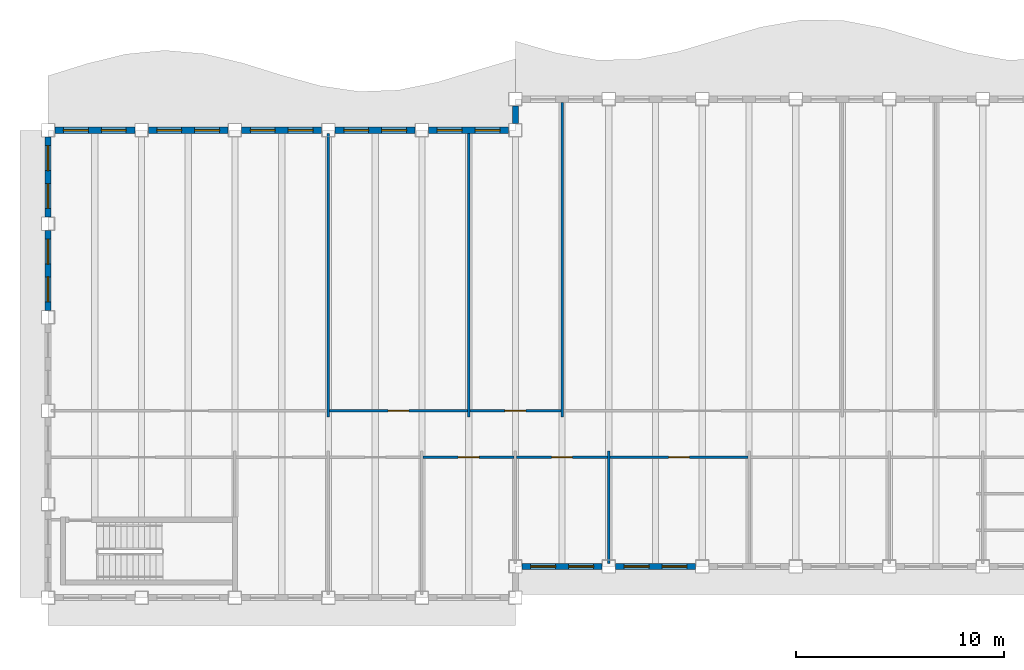
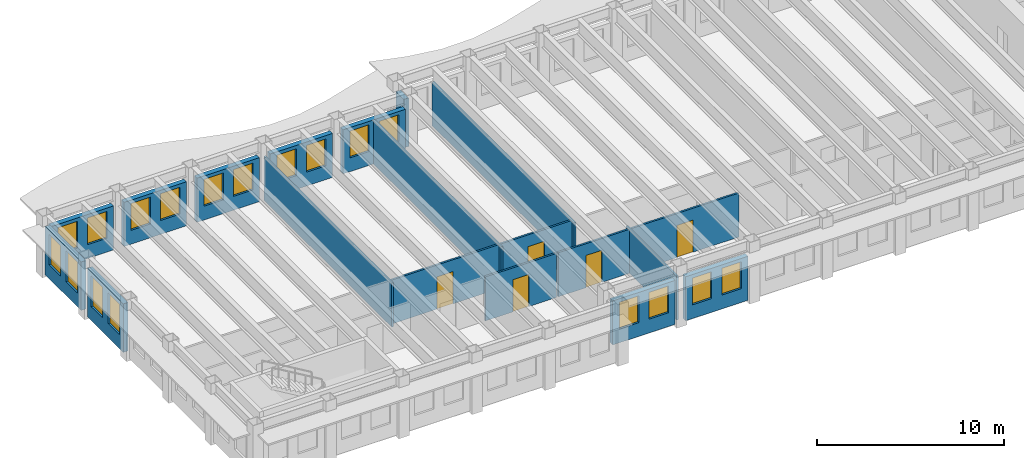
# One storey, part 3 of 12: 19 walls, 18 windows, 5 doors, 23 openings.
"""IFC4 building model written with IfcOpenShell, lengths in metres."""

from ifc_helpers import new_model, si_unit, direction, frame, frame_2d, origin, place, context, subcontext, project, spatial, rectangle, extrude, material, layer, layer_set, type_object, element, fill, save


model = new_model("IFC4")

# Units and contexts
model_context = context("Model", 3, precision=1e-05, world=origin(), true_north=direction((0.0, 1.0)))
body_context = subcontext(model_context, "Body", "Model", "MODEL_VIEW")
ifc_project = project(units=[si_unit("LENGTHUNIT", "METRE"), si_unit("AREAUNIT", "SQUARE_METRE"), si_unit("VOLUMEUNIT", "CUBIC_METRE"), si_unit("PLANEANGLEUNIT", "RADIAN"), si_unit("MASSUNIT", "GRAM", prefix="KILO")], contexts=[model_context])

# Site, building, storey
site_placement = place(None, origin())
site = spatial("IfcSite", under=ifc_project, at=site_placement, CompositionType="ELEMENT")
building_placement = place(site_placement, origin())
building = spatial("IfcBuilding", under=site, at=building_placement, Name="Sennacour Bend Tower", CompositionType="ELEMENT")
storey_placement = place(building_placement, frame((0.0, 0.0, 269.0)))
storey = spatial("IfcBuildingStorey", under=building, at=storey_placement, Name="L62", CompositionType="ELEMENT", Elevation=269.0)

# Walls
ifc_material_1 = material(Name="Plasterboard partition on steel studs", Category="steel")
ifc_layer_1 = layer(ifc_material_1, 0.1201171875, Name="Plasterboard partition on steel studs", Category="steel")
ifc_layer_set_1 = layer_set([ifc_layer_1], Name="Plasterboard partition on steel studs")
wall_type_1 = type_object("IfcWallType", Name="Partition 120", PredefinedType="PARTITIONING", material=ifc_layer_set_1)
for number, where, z_axis, x_axis, name in (
    (1, (13.5, 8.699951171875, 0.0), (0.0, 0.0, 1.0), (0.0, 1.0, 0.0), "P-L62-W007a"),
    (2, (20.25, 8.699951171875, 0.0), (0.0, 0.0, 1.0), (0.0, 1.0, 0.0), "P-L62-W009a"),
):
    element("IfcWall", number, at=place(storey_placement, frame(where, z_axis=z_axis, x_axis=x_axis)), inside=storey, type_object=wall_type_1, Name=name, PredefinedType="PARTITIONING", context=body_context, shape_type="SweptSolid", body=[
        extrude(rectangle(XDim=13.650146484375, YDim=0.1201171875, at=frame_2d((6.8251953125, 0.0))), origin(), (0.0, 0.0, 1.0), 2.8701171875),
    ])
wall_1_placement = place(storey_placement, frame((24.75, 8.699951171875, 0.0), z_axis=(0.0, 0.0, 1.0), x_axis=(0.0, 1.0, 0.0)))
element("IfcWall", 3, at=wall_1_placement, inside=storey, type_object=wall_type_1, Name="P-L62-W011a", PredefinedType="PARTITIONING", context=body_context, shape_type="SweptSolid", body=[
    extrude(rectangle(XDim=15.150146484375, YDim=0.1201171875, at=frame_2d((7.5751953125, 0.0))), origin(), (0.0, 0.0, 1.0), 2.8701171875),
])
wall_2_placement = place(storey_placement, frame((27.0, 1.64990234375, 0.0), z_axis=(0.0, 0.0, 1.0), x_axis=(0.0, 1.0, 0.0)))
element("IfcWall", 4, at=wall_2_placement, inside=storey, type_object=wall_type_1, Name="P-L62-W012a", PredefinedType="PARTITIONING", context=body_context, shape_type="SweptSolid", body=[
    extrude(rectangle(XDim=5.400146484375, YDim=0.1201171875, at=frame_2d((2.7001953125, 0.0))), origin(), (0.0, 0.0, 1.0), 2.8701171875),
])

# Wall, opening, door
wall_3_placement = place(storey_placement, frame((18.06005859375, 6.75, 0.0), z_axis=(0.0, 0.0, 1.0), x_axis=(1.0, 0.0, 0.0)))
wall_3 = element("IfcWall", 5, at=wall_3_placement, inside=storey, type_object=wall_type_1, Name="P-L62-W043ad", PredefinedType="PARTITIONING", context=body_context, shape_type="SweptSolid", body=[
    extrude(rectangle(XDim=4.3798828125, YDim=0.1201171875, at=frame_2d((2.18994140625, 0.0))), origin(), (0.0, 0.0, 1.0), 2.8701171875),
])
opening_1_placement = place(wall_3_placement, frame((1.68994140625, 0.0, 0.0)))
opening_1 = element("IfcOpeningElement", 6, at=opening_1_placement, cuts=wall_3, Name="Opening OD2", PredefinedType="OPENING", context=body_context, shape_type="SweptSolid", body=[
    extrude(rectangle(XDim=1.0, YDim=2.10009765625, at=frame_2d((0.5, 1.050048828125))), frame((0.0, 0.070068359375, 0.0), z_axis=(0.0, -1.0, 0.0), x_axis=(1.0, 0.0, 0.0)), (0.0, 0.0, 1.0), 0.14013671875),
])
ifc_material_2 = material(Name="Timber", Category="wood")
door_type = type_object("IfcDoorType", Name="DR-OFFICE-1000", OperationType="NOTDEFINED", PredefinedType="DOOR", material=ifc_material_2)
door_1_placement = place(opening_1_placement, origin())
door_1 = element("IfcDoor", 7, at=door_1_placement, inside=storey, type_object=door_type, Name="Door", OperationType="SINGLE_SWING_LEFT", OverallHeight=2.10009765625, OverallWidth=1.0, PredefinedType="DOOR", context=body_context, shape_type="SweptSolid", body=[
    extrude(rectangle(XDim=1.0, YDim=2.10009765625, at=frame_2d((0.5, 1.050048828125))), frame((0.0, 0.02490234375, 0.0), z_axis=(0.0, -1.0, 0.0), x_axis=(1.0, 0.0, 0.0)), (0.0, 0.0, 1.0), 0.050048828125),
])
fill(opening_1, door_1)

wall_4_placement = place(storey_placement, frame((22.56005859375, 6.75, 0.0), z_axis=(0.0, 0.0, 1.0), x_axis=(1.0, 0.0, 0.0)))
wall_4 = element("IfcWall", 8, at=wall_4_placement, inside=storey, type_object=wall_type_1, Name="P-L62-W043ae", PredefinedType="PARTITIONING", context=body_context, shape_type="SweptSolid", body=[
    extrude(rectangle(XDim=4.3798828125, YDim=0.1201171875, at=frame_2d((2.18994140625, 0.0))), origin(), (0.0, 0.0, 1.0), 2.8701171875),
])
opening_2_placement = place(wall_4_placement, frame((1.68994140625, 0.0, 0.0)))
opening_2 = element("IfcOpeningElement", 9, at=opening_2_placement, cuts=wall_4, Name="Opening OD2", PredefinedType="OPENING", context=body_context, shape_type="SweptSolid", body=[
    extrude(rectangle(XDim=1.0, YDim=2.10009765625, at=frame_2d((0.5, 1.050048828125))), frame((0.0, 0.070068359375, 0.0), z_axis=(0.0, -1.0, 0.0), x_axis=(1.0, 0.0, 0.0)), (0.0, 0.0, 1.0), 0.14013671875),
])
door_2_placement = place(opening_2_placement, origin())
door_2 = element("IfcDoor", 10, at=door_2_placement, inside=storey, type_object=door_type, Name="Door", OperationType="SINGLE_SWING_LEFT", OverallHeight=2.10009765625, OverallWidth=1.0, PredefinedType="DOOR", context=body_context, shape_type="SweptSolid", body=[
    extrude(rectangle(XDim=1.0, YDim=2.10009765625, at=frame_2d((0.5, 1.050048828125))), frame((0.0, 0.02490234375, 0.0), z_axis=(0.0, -1.0, 0.0), x_axis=(1.0, 0.0, 0.0)), (0.0, 0.0, 1.0), 0.050048828125),
])
fill(opening_2, door_2)

wall_5_placement = place(storey_placement, frame((27.06005859375, 6.75, 0.0), z_axis=(0.0, 0.0, 1.0), x_axis=(1.0, 0.0, 0.0)))
wall_5 = element("IfcWall", 11, at=wall_5_placement, inside=storey, type_object=wall_type_1, Name="P-L62-W043af", PredefinedType="PARTITIONING", context=body_context, shape_type="SweptSolid", body=[
    extrude(rectangle(XDim=6.6298828125, YDim=0.1201171875, at=frame_2d((3.31494140625, 0.0))), origin(), (0.0, 0.0, 1.0), 2.8701171875),
])
opening_3_placement = place(wall_5_placement, frame((2.81494140625, 0.0, 0.0)))
opening_3 = element("IfcOpeningElement", 12, at=opening_3_placement, cuts=wall_5, Name="Opening OD2", PredefinedType="OPENING", context=body_context, shape_type="SweptSolid", body=[
    extrude(rectangle(XDim=1.0, YDim=2.10009765625, at=frame_2d((0.5, 1.050048828125))), frame((0.0, 0.070068359375, 0.0), z_axis=(0.0, -1.0, 0.0), x_axis=(1.0, 0.0, 0.0)), (0.0, 0.0, 1.0), 0.14013671875),
])
door_3_placement = place(opening_3_placement, origin())
door_3 = element("IfcDoor", 13, at=door_3_placement, inside=storey, type_object=door_type, Name="Door", OperationType="SINGLE_SWING_LEFT", OverallHeight=2.10009765625, OverallWidth=1.0, PredefinedType="DOOR", context=body_context, shape_type="SweptSolid", body=[
    extrude(rectangle(XDim=1.0, YDim=2.10009765625, at=frame_2d((0.5, 1.050048828125))), frame((0.0, 0.02490234375, 0.0), z_axis=(0.0, -1.0, 0.0), x_axis=(1.0, 0.0, 0.0)), (0.0, 0.0, 1.0), 0.050048828125),
])
fill(opening_3, door_3)

wall_6_placement = place(storey_placement, frame((13.56005859375, 9.0, 0.0), z_axis=(0.0, 0.0, 1.0), x_axis=(1.0, 0.0, 0.0)))
wall_6 = element("IfcWall", 14, at=wall_6_placement, inside=storey, type_object=wall_type_1, Name="P-L62-W044ab", PredefinedType="PARTITIONING", context=body_context, shape_type="SweptSolid", body=[
    extrude(rectangle(XDim=6.6298828125, YDim=0.1201171875, at=frame_2d((3.31494140625, 0.0))), origin(), (0.0, 0.0, 1.0), 2.8701171875),
])
opening_4_placement = place(wall_6_placement, frame((2.81494140625, 0.0, 0.0)))
opening_4 = element("IfcOpeningElement", 15, at=opening_4_placement, cuts=wall_6, Name="Opening OD2", PredefinedType="OPENING", context=body_context, shape_type="SweptSolid", body=[
    extrude(rectangle(XDim=1.0, YDim=2.10009765625, at=frame_2d((0.5, 1.050048828125))), frame((0.0, 0.070068359375, 0.0), z_axis=(0.0, -1.0, 0.0), x_axis=(1.0, 0.0, 0.0)), (0.0, 0.0, 1.0), 0.14013671875),
])
door_4_placement = place(opening_4_placement, origin())
door_4 = element("IfcDoor", 16, at=door_4_placement, inside=storey, type_object=door_type, Name="Door", OperationType="SINGLE_SWING_LEFT", OverallHeight=2.10009765625, OverallWidth=1.0, PredefinedType="DOOR", context=body_context, shape_type="SweptSolid", body=[
    extrude(rectangle(XDim=1.0, YDim=2.10009765625, at=frame_2d((0.5, 1.050048828125))), frame((0.0, 0.02490234375, 0.0), z_axis=(0.0, -1.0, 0.0), x_axis=(1.0, 0.0, 0.0)), (0.0, 0.0, 1.0), 0.050048828125),
])
fill(opening_4, door_4)

wall_7_placement = place(storey_placement, frame((20.31005859375, 9.0, 0.0), z_axis=(0.0, 0.0, 1.0), x_axis=(1.0, 0.0, 0.0)))
wall_7 = element("IfcWall", 17, at=wall_7_placement, inside=storey, type_object=wall_type_1, Name="P-L62-W044ac", PredefinedType="PARTITIONING", context=body_context, shape_type="SweptSolid", body=[
    extrude(rectangle(XDim=4.3798828125, YDim=0.1201171875, at=frame_2d((2.18994140625, 0.0))), origin(), (0.0, 0.0, 1.0), 2.8701171875),
])
opening_5_placement = place(wall_7_placement, frame((1.68994140625, 0.0, 0.0)))
opening_5 = element("IfcOpeningElement", 18, at=opening_5_placement, cuts=wall_7, Name="Opening OD2", PredefinedType="OPENING", context=body_context, shape_type="SweptSolid", body=[
    extrude(rectangle(XDim=1.0, YDim=2.10009765625, at=frame_2d((0.5, 1.050048828125))), frame((0.0, 0.070068359375, 0.0), z_axis=(0.0, -1.0, 0.0), x_axis=(1.0, 0.0, 0.0)), (0.0, 0.0, 1.0), 0.14013671875),
])
door_5_placement = place(opening_5_placement, origin())
door_5 = element("IfcDoor", 19, at=door_5_placement, inside=storey, type_object=door_type, Name="Door", OperationType="SINGLE_SWING_LEFT", OverallHeight=2.10009765625, OverallWidth=1.0, PredefinedType="DOOR", context=body_context, shape_type="SweptSolid", body=[
    extrude(rectangle(XDim=1.0, YDim=2.10009765625, at=frame_2d((0.5, 1.050048828125))), frame((0.0, 0.02490234375, 0.0), z_axis=(0.0, -1.0, 0.0), x_axis=(1.0, 0.0, 0.0)), (0.0, 0.0, 1.0), 0.050048828125),
])
fill(opening_5, door_5)

# Wall, openings, windows
ifc_material_3 = material(Name="Warm limestone cladding", Category="masonry")
ifc_layer_2 = layer(ifc_material_3, 0.050048828125, Name="Warm limestone cladding", Category="masonry")
ifc_material_4 = material(Name="Precast concrete C40/50", Category="concrete")
ifc_layer_3 = layer(ifc_material_4, 0.25, Name="Precast concrete C40/50", Category="concrete")
ifc_layer_set_2 = layer_set([ifc_layer_2, ifc_layer_3], Name="Precast concrete C40/50 with limestone cladding")
wall_type_2 = type_object("IfcWallType", Name="STONE-CLAD PRECAST SPANDREL 300", PredefinedType="STANDARD", material=ifc_layer_set_2)
wall_8_placement = place(storey_placement, frame((22.824951171875, 1.5, 0.0), z_axis=(0.0, 0.0, 1.0), x_axis=(1.0, 0.0, 0.0)))
wall_8 = element("IfcWall", 20, at=wall_8_placement, inside=storey, type_object=wall_type_2, Name="Stone spandrel and pier wall L62 01.00", PredefinedType="STANDARD", context=body_context, shape_type="SweptSolid", body=[
    extrude(rectangle(XDim=3.85009765625, YDim=0.300048828125, at=frame_2d((1.925048828125, 0.0))), origin(), (0.0, 0.0, 1.0), 2.8701171875),
])
opening_6_placement = place(wall_8_placement, frame((0.41259765625, 0.0, 0.89990234375)))
opening_6 = element("IfcOpeningElement", 21, at=opening_6_placement, cuts=wall_8, Name="Opening W16", PredefinedType="OPENING", context=body_context, shape_type="SweptSolid", body=[
    extrude(rectangle(XDim=1.199951171875, YDim=1.75, at=frame_2d((0.60009765625, 0.875))), frame((0.0, 0.16015625, 0.0), z_axis=(0.0, -1.0, 0.0), x_axis=(1.0, 0.0, 0.0)), (0.0, 0.0, 1.0), 0.320068359375),
])
opening_7_placement = place(wall_8_placement, frame((2.237548828125, 0.0, 0.89990234375)))
opening_7 = element("IfcOpeningElement", 22, at=opening_7_placement, cuts=wall_8, Name="Opening W16", PredefinedType="OPENING", context=body_context, shape_type="SweptSolid", body=[
    extrude(rectangle(XDim=1.199951171875, YDim=1.75, at=frame_2d((0.60009765625, 0.875))), frame((0.0, 0.16015625, 0.0), z_axis=(0.0, -1.0, 0.0), x_axis=(1.0, 0.0, 0.0)), (0.0, 0.0, 1.0), 0.320068359375),
])
ifc_material_5 = material(Name="Clear low-emissivity glass", Category="glass")
window_type_1 = type_object("IfcWindowType", Name="WIN-RIBBON-1200x1750", PartitioningType="SINGLE_PANEL", PredefinedType="WINDOW", material=ifc_material_5)
window_1_placement = place(opening_6_placement, origin())
window_1 = element("IfcWindow", 23, at=window_1_placement, inside=storey, type_object=window_type_1, Name="Ribbon window L62 01.00.0", OverallHeight=1.75, OverallWidth=1.199951171875, PartitioningType="SINGLE_PANEL", PredefinedType="WINDOW", context=body_context, shape_type="SweptSolid", body=[
    extrude(rectangle(XDim=1.199951171875, YDim=1.75, at=frame_2d((0.60009765625, 0.875))), frame((0.0, 0.030029296875, 0.0), z_axis=(0.0, -1.0, 0.0), x_axis=(1.0, 0.0, 0.0)), (0.0, 0.0, 1.0), 0.06005859375),
])
fill(opening_6, window_1)
window_2_placement = place(opening_7_placement, origin())
window_2 = element("IfcWindow", 24, at=window_2_placement, inside=storey, type_object=window_type_1, Name="Ribbon window L62 01.00.1", OverallHeight=1.75, OverallWidth=1.199951171875, PartitioningType="SINGLE_PANEL", PredefinedType="WINDOW", context=body_context, shape_type="SweptSolid", body=[
    extrude(rectangle(XDim=1.199951171875, YDim=1.75, at=frame_2d((0.60009765625, 0.875))), frame((0.0, 0.030029296875, 0.0), z_axis=(0.0, -1.0, 0.0), x_axis=(1.0, 0.0, 0.0)), (0.0, 0.0, 1.0), 0.06005859375),
])
fill(opening_7, window_2)

wall_9_placement = place(storey_placement, frame((27.324951171875, 1.5, 0.0), z_axis=(0.0, 0.0, 1.0), x_axis=(1.0, 0.0, 0.0)))
wall_9 = element("IfcWall", 25, at=wall_9_placement, inside=storey, type_object=wall_type_2, Name="Stone spandrel and pier wall L62 01.01", PredefinedType="STANDARD", context=body_context, shape_type="SweptSolid", body=[
    extrude(rectangle(XDim=3.85009765625, YDim=0.300048828125, at=frame_2d((1.925048828125, 0.0))), origin(), (0.0, 0.0, 1.0), 2.8701171875),
])
opening_8_placement = place(wall_9_placement, frame((0.41259765625, 0.0, 0.89990234375)))
opening_8 = element("IfcOpeningElement", 26, at=opening_8_placement, cuts=wall_9, Name="Opening W16", PredefinedType="OPENING", context=body_context, shape_type="SweptSolid", body=[
    extrude(rectangle(XDim=1.199951171875, YDim=1.75, at=frame_2d((0.60009765625, 0.875))), frame((0.0, 0.16015625, 0.0), z_axis=(0.0, -1.0, 0.0), x_axis=(1.0, 0.0, 0.0)), (0.0, 0.0, 1.0), 0.320068359375),
])
opening_9_placement = place(wall_9_placement, frame((2.237548828125, 0.0, 0.89990234375)))
opening_9 = element("IfcOpeningElement", 27, at=opening_9_placement, cuts=wall_9, Name="Opening W16", PredefinedType="OPENING", context=body_context, shape_type="SweptSolid", body=[
    extrude(rectangle(XDim=1.199951171875, YDim=1.75, at=frame_2d((0.60009765625, 0.875))), frame((0.0, 0.16015625, 0.0), z_axis=(0.0, -1.0, 0.0), x_axis=(1.0, 0.0, 0.0)), (0.0, 0.0, 1.0), 0.320068359375),
])
window_3_placement = place(opening_8_placement, origin())
window_3 = element("IfcWindow", 28, at=window_3_placement, inside=storey, type_object=window_type_1, Name="Ribbon window L62 01.01.0", OverallHeight=1.75, OverallWidth=1.199951171875, PartitioningType="SINGLE_PANEL", PredefinedType="WINDOW", context=body_context, shape_type="SweptSolid", body=[
    extrude(rectangle(XDim=1.199951171875, YDim=1.75, at=frame_2d((0.60009765625, 0.875))), frame((0.0, 0.030029296875, 0.0), z_axis=(0.0, -1.0, 0.0), x_axis=(1.0, 0.0, 0.0)), (0.0, 0.0, 1.0), 0.06005859375),
])
fill(opening_8, window_3)
window_4_placement = place(opening_9_placement, origin())
window_4 = element("IfcWindow", 29, at=window_4_placement, inside=storey, type_object=window_type_1, Name="Ribbon window L62 01.01.1", OverallHeight=1.75, OverallWidth=1.199951171875, PartitioningType="SINGLE_PANEL", PredefinedType="WINDOW", context=body_context, shape_type="SweptSolid", body=[
    extrude(rectangle(XDim=1.199951171875, YDim=1.75, at=frame_2d((0.60009765625, 0.875))), frame((0.0, 0.030029296875, 0.0), z_axis=(0.0, -1.0, 0.0), x_axis=(1.0, 0.0, 0.0)), (0.0, 0.0, 1.0), 0.06005859375),
])
fill(opening_9, window_4)

# Wall
wall_10_placement = place(storey_placement, frame((22.5, 23.675048828125, 0.0), z_axis=(0.0, 0.0, 1.0), x_axis=(0.0, -1.0, 0.0)))
element("IfcWall", 30, at=wall_10_placement, inside=storey, type_object=wall_type_2, Name="Stone spandrel and pier wall L62 08.00", PredefinedType="STANDARD", context=body_context, shape_type="SweptSolid", body=[
    extrude(rectangle(XDim=0.85009765625, YDim=0.300048828125, at=frame_2d((0.425048828125, 0.0))), origin(), (0.0, 0.0, 1.0), 3.162109375),
])

# Wall, openings, windows
wall_11_placement = place(storey_placement, frame((22.175048828125, 22.5, 0.0), z_axis=(0.0, 0.0, 1.0), x_axis=(-1.0, 0.0, 0.0)))
wall_11 = element("IfcWall", 31, at=wall_11_placement, inside=storey, type_object=wall_type_2, Name="Stone spandrel and pier wall L62 09.00", PredefinedType="STANDARD", context=body_context, shape_type="SweptSolid", body=[
    extrude(rectangle(XDim=3.85009765625, YDim=0.300048828125, at=frame_2d((1.925048828125, 0.0))), origin(), (0.0, 0.0, 1.0), 2.8701171875),
])
opening_10_placement = place(wall_11_placement, frame((0.41259765625, 0.0, 0.89990234375)))
opening_10 = element("IfcOpeningElement", 32, at=opening_10_placement, cuts=wall_11, Name="Opening W16", PredefinedType="OPENING", context=body_context, shape_type="SweptSolid", body=[
    extrude(rectangle(XDim=1.199951171875, YDim=1.75, at=frame_2d((0.60009765625, 0.875))), frame((0.0, 0.16015625, 0.0), z_axis=(0.0, -1.0, 0.0), x_axis=(1.0, 0.0, 0.0)), (0.0, 0.0, 1.0), 0.320068359375),
])
opening_11_placement = place(wall_11_placement, frame((2.237548828125, 0.0, 0.89990234375)))
opening_11 = element("IfcOpeningElement", 33, at=opening_11_placement, cuts=wall_11, Name="Opening W16", PredefinedType="OPENING", context=body_context, shape_type="SweptSolid", body=[
    extrude(rectangle(XDim=1.199951171875, YDim=1.75, at=frame_2d((0.60009765625, 0.875))), frame((0.0, 0.16015625, 0.0), z_axis=(0.0, -1.0, 0.0), x_axis=(1.0, 0.0, 0.0)), (0.0, 0.0, 1.0), 0.320068359375),
])
window_5_placement = place(opening_10_placement, origin())
window_5 = element("IfcWindow", 34, at=window_5_placement, inside=storey, type_object=window_type_1, Name="Ribbon window L62 09.00.0", OverallHeight=1.75, OverallWidth=1.199951171875, PartitioningType="SINGLE_PANEL", PredefinedType="WINDOW", context=body_context, shape_type="SweptSolid", body=[
    extrude(rectangle(XDim=1.199951171875, YDim=1.75, at=frame_2d((0.60009765625, 0.875))), frame((0.0, 0.030029296875, 0.0), z_axis=(0.0, -1.0, 0.0), x_axis=(1.0, 0.0, 0.0)), (0.0, 0.0, 1.0), 0.06005859375),
])
fill(opening_10, window_5)
window_6_placement = place(opening_11_placement, origin())
window_6 = element("IfcWindow", 35, at=window_6_placement, inside=storey, type_object=window_type_1, Name="Ribbon window L62 09.00.1", OverallHeight=1.75, OverallWidth=1.199951171875, PartitioningType="SINGLE_PANEL", PredefinedType="WINDOW", context=body_context, shape_type="SweptSolid", body=[
    extrude(rectangle(XDim=1.199951171875, YDim=1.75, at=frame_2d((0.60009765625, 0.875))), frame((0.0, 0.030029296875, 0.0), z_axis=(0.0, -1.0, 0.0), x_axis=(1.0, 0.0, 0.0)), (0.0, 0.0, 1.0), 0.06005859375),
])
fill(opening_11, window_6)

wall_12_placement = place(storey_placement, frame((17.675048828125, 22.5, 0.0), z_axis=(0.0, 0.0, 1.0), x_axis=(-1.0, 0.0, 0.0)))
wall_12 = element("IfcWall", 36, at=wall_12_placement, inside=storey, type_object=wall_type_2, Name="Stone spandrel and pier wall L62 09.01", PredefinedType="STANDARD", context=body_context, shape_type="SweptSolid", body=[
    extrude(rectangle(XDim=3.85009765625, YDim=0.300048828125, at=frame_2d((1.925048828125, 0.0))), origin(), (0.0, 0.0, 1.0), 2.8701171875),
])
opening_12_placement = place(wall_12_placement, frame((0.41259765625, 0.0, 0.89990234375)))
opening_12 = element("IfcOpeningElement", 37, at=opening_12_placement, cuts=wall_12, Name="Opening W16", PredefinedType="OPENING", context=body_context, shape_type="SweptSolid", body=[
    extrude(rectangle(XDim=1.199951171875, YDim=1.75, at=frame_2d((0.60009765625, 0.875))), frame((0.0, 0.16015625, 0.0), z_axis=(0.0, -1.0, 0.0), x_axis=(1.0, 0.0, 0.0)), (0.0, 0.0, 1.0), 0.320068359375),
])
opening_13_placement = place(wall_12_placement, frame((2.237548828125, 0.0, 0.89990234375)))
opening_13 = element("IfcOpeningElement", 38, at=opening_13_placement, cuts=wall_12, Name="Opening W16", PredefinedType="OPENING", context=body_context, shape_type="SweptSolid", body=[
    extrude(rectangle(XDim=1.199951171875, YDim=1.75, at=frame_2d((0.60009765625, 0.875))), frame((0.0, 0.16015625, 0.0), z_axis=(0.0, -1.0, 0.0), x_axis=(1.0, 0.0, 0.0)), (0.0, 0.0, 1.0), 0.320068359375),
])
window_7_placement = place(opening_12_placement, origin())
window_7 = element("IfcWindow", 39, at=window_7_placement, inside=storey, type_object=window_type_1, Name="Ribbon window L62 09.01.0", OverallHeight=1.75, OverallWidth=1.199951171875, PartitioningType="SINGLE_PANEL", PredefinedType="WINDOW", context=body_context, shape_type="SweptSolid", body=[
    extrude(rectangle(XDim=1.199951171875, YDim=1.75, at=frame_2d((0.60009765625, 0.875))), frame((0.0, 0.030029296875, 0.0), z_axis=(0.0, -1.0, 0.0), x_axis=(1.0, 0.0, 0.0)), (0.0, 0.0, 1.0), 0.06005859375),
])
fill(opening_12, window_7)
window_8_placement = place(opening_13_placement, origin())
window_8 = element("IfcWindow", 40, at=window_8_placement, inside=storey, type_object=window_type_1, Name="Ribbon window L62 09.01.1", OverallHeight=1.75, OverallWidth=1.199951171875, PartitioningType="SINGLE_PANEL", PredefinedType="WINDOW", context=body_context, shape_type="SweptSolid", body=[
    extrude(rectangle(XDim=1.199951171875, YDim=1.75, at=frame_2d((0.60009765625, 0.875))), frame((0.0, 0.030029296875, 0.0), z_axis=(0.0, -1.0, 0.0), x_axis=(1.0, 0.0, 0.0)), (0.0, 0.0, 1.0), 0.06005859375),
])
fill(opening_13, window_8)

wall_13_placement = place(storey_placement, frame((13.175048828125, 22.5, 0.0), z_axis=(0.0, 0.0, 1.0), x_axis=(-1.0, 0.0, 0.0)))
wall_13 = element("IfcWall", 41, at=wall_13_placement, inside=storey, type_object=wall_type_2, Name="Stone spandrel and pier wall L62 09.02", PredefinedType="STANDARD", context=body_context, shape_type="SweptSolid", body=[
    extrude(rectangle(XDim=3.85009765625, YDim=0.300048828125, at=frame_2d((1.925048828125, 0.0))), origin(), (0.0, 0.0, 1.0), 2.8701171875),
])
opening_14_placement = place(wall_13_placement, frame((0.41259765625, 0.0, 0.89990234375)))
opening_14 = element("IfcOpeningElement", 42, at=opening_14_placement, cuts=wall_13, Name="Opening W16", PredefinedType="OPENING", context=body_context, shape_type="SweptSolid", body=[
    extrude(rectangle(XDim=1.199951171875, YDim=1.75, at=frame_2d((0.60009765625, 0.875))), frame((0.0, 0.16015625, 0.0), z_axis=(0.0, -1.0, 0.0), x_axis=(1.0, 0.0, 0.0)), (0.0, 0.0, 1.0), 0.320068359375),
])
opening_15_placement = place(wall_13_placement, frame((2.237548828125, 0.0, 0.89990234375)))
opening_15 = element("IfcOpeningElement", 43, at=opening_15_placement, cuts=wall_13, Name="Opening W16", PredefinedType="OPENING", context=body_context, shape_type="SweptSolid", body=[
    extrude(rectangle(XDim=1.199951171875, YDim=1.75, at=frame_2d((0.60009765625, 0.875))), frame((0.0, 0.16015625, 0.0), z_axis=(0.0, -1.0, 0.0), x_axis=(1.0, 0.0, 0.0)), (0.0, 0.0, 1.0), 0.320068359375),
])
window_9_placement = place(opening_14_placement, origin())
window_9 = element("IfcWindow", 44, at=window_9_placement, inside=storey, type_object=window_type_1, Name="Ribbon window L62 09.02.0", OverallHeight=1.75, OverallWidth=1.199951171875, PartitioningType="SINGLE_PANEL", PredefinedType="WINDOW", context=body_context, shape_type="SweptSolid", body=[
    extrude(rectangle(XDim=1.199951171875, YDim=1.75, at=frame_2d((0.60009765625, 0.875))), frame((0.0, 0.030029296875, 0.0), z_axis=(0.0, -1.0, 0.0), x_axis=(1.0, 0.0, 0.0)), (0.0, 0.0, 1.0), 0.06005859375),
])
fill(opening_14, window_9)
window_10_placement = place(opening_15_placement, origin())
window_10 = element("IfcWindow", 45, at=window_10_placement, inside=storey, type_object=window_type_1, Name="Ribbon window L62 09.02.1", OverallHeight=1.75, OverallWidth=1.199951171875, PartitioningType="SINGLE_PANEL", PredefinedType="WINDOW", context=body_context, shape_type="SweptSolid", body=[
    extrude(rectangle(XDim=1.199951171875, YDim=1.75, at=frame_2d((0.60009765625, 0.875))), frame((0.0, 0.030029296875, 0.0), z_axis=(0.0, -1.0, 0.0), x_axis=(1.0, 0.0, 0.0)), (0.0, 0.0, 1.0), 0.06005859375),
])
fill(opening_15, window_10)

wall_14_placement = place(storey_placement, frame((8.675048828125, 22.5, 0.0), z_axis=(0.0, 0.0, 1.0), x_axis=(-1.0, 0.0, 0.0)))
wall_14 = element("IfcWall", 46, at=wall_14_placement, inside=storey, type_object=wall_type_2, Name="Stone spandrel and pier wall L62 09.03", PredefinedType="STANDARD", context=body_context, shape_type="SweptSolid", body=[
    extrude(rectangle(XDim=3.85009765625, YDim=0.300048828125, at=frame_2d((1.925048828125, 0.0))), origin(), (0.0, 0.0, 1.0), 2.8701171875),
])
opening_16_placement = place(wall_14_placement, frame((0.41259765625, 0.0, 0.89990234375)))
opening_16 = element("IfcOpeningElement", 47, at=opening_16_placement, cuts=wall_14, Name="Opening W16", PredefinedType="OPENING", context=body_context, shape_type="SweptSolid", body=[
    extrude(rectangle(XDim=1.199951171875, YDim=1.75, at=frame_2d((0.60009765625, 0.875))), frame((0.0, 0.16015625, 0.0), z_axis=(0.0, -1.0, 0.0), x_axis=(1.0, 0.0, 0.0)), (0.0, 0.0, 1.0), 0.320068359375),
])
opening_17_placement = place(wall_14_placement, frame((2.237548828125, 0.0, 0.89990234375)))
opening_17 = element("IfcOpeningElement", 48, at=opening_17_placement, cuts=wall_14, Name="Opening W16", PredefinedType="OPENING", context=body_context, shape_type="SweptSolid", body=[
    extrude(rectangle(XDim=1.199951171875, YDim=1.75, at=frame_2d((0.60009765625, 0.875))), frame((0.0, 0.16015625, 0.0), z_axis=(0.0, -1.0, 0.0), x_axis=(1.0, 0.0, 0.0)), (0.0, 0.0, 1.0), 0.320068359375),
])
window_11_placement = place(opening_16_placement, origin())
window_11 = element("IfcWindow", 49, at=window_11_placement, inside=storey, type_object=window_type_1, Name="Ribbon window L62 09.03.0", OverallHeight=1.75, OverallWidth=1.199951171875, PartitioningType="SINGLE_PANEL", PredefinedType="WINDOW", context=body_context, shape_type="SweptSolid", body=[
    extrude(rectangle(XDim=1.199951171875, YDim=1.75, at=frame_2d((0.60009765625, 0.875))), frame((0.0, 0.030029296875, 0.0), z_axis=(0.0, -1.0, 0.0), x_axis=(1.0, 0.0, 0.0)), (0.0, 0.0, 1.0), 0.06005859375),
])
fill(opening_16, window_11)
window_12_placement = place(opening_17_placement, origin())
window_12 = element("IfcWindow", 50, at=window_12_placement, inside=storey, type_object=window_type_1, Name="Ribbon window L62 09.03.1", OverallHeight=1.75, OverallWidth=1.199951171875, PartitioningType="SINGLE_PANEL", PredefinedType="WINDOW", context=body_context, shape_type="SweptSolid", body=[
    extrude(rectangle(XDim=1.199951171875, YDim=1.75, at=frame_2d((0.60009765625, 0.875))), frame((0.0, 0.030029296875, 0.0), z_axis=(0.0, -1.0, 0.0), x_axis=(1.0, 0.0, 0.0)), (0.0, 0.0, 1.0), 0.06005859375),
])
fill(opening_17, window_12)

wall_15_placement = place(storey_placement, frame((4.175048828125, 22.5, 0.0), z_axis=(0.0, 0.0, 1.0), x_axis=(-1.0, 0.0, 0.0)))
wall_15 = element("IfcWall", 51, at=wall_15_placement, inside=storey, type_object=wall_type_2, Name="Stone spandrel and pier wall L62 09.04", PredefinedType="STANDARD", context=body_context, shape_type="SweptSolid", body=[
    extrude(rectangle(XDim=3.85009765625, YDim=0.300048828125, at=frame_2d((1.925048828125, 0.0))), origin(), (0.0, 0.0, 1.0), 2.8701171875),
])
opening_18_placement = place(wall_15_placement, frame((0.41259765625, 0.0, 0.89990234375)))
opening_18 = element("IfcOpeningElement", 52, at=opening_18_placement, cuts=wall_15, Name="Opening W16", PredefinedType="OPENING", context=body_context, shape_type="SweptSolid", body=[
    extrude(rectangle(XDim=1.199951171875, YDim=1.75, at=frame_2d((0.60009765625, 0.875))), frame((0.0, 0.16015625, 0.0), z_axis=(0.0, -1.0, 0.0), x_axis=(1.0, 0.0, 0.0)), (0.0, 0.0, 1.0), 0.320068359375),
])
opening_19_placement = place(wall_15_placement, frame((2.237548828125, 0.0, 0.89990234375)))
opening_19 = element("IfcOpeningElement", 53, at=opening_19_placement, cuts=wall_15, Name="Opening W16", PredefinedType="OPENING", context=body_context, shape_type="SweptSolid", body=[
    extrude(rectangle(XDim=1.199951171875, YDim=1.75, at=frame_2d((0.60009765625, 0.875))), frame((0.0, 0.16015625, 0.0), z_axis=(0.0, -1.0, 0.0), x_axis=(1.0, 0.0, 0.0)), (0.0, 0.0, 1.0), 0.320068359375),
])
window_13_placement = place(opening_18_placement, origin())
window_13 = element("IfcWindow", 54, at=window_13_placement, inside=storey, type_object=window_type_1, Name="Ribbon window L62 09.04.0", OverallHeight=1.75, OverallWidth=1.199951171875, PartitioningType="SINGLE_PANEL", PredefinedType="WINDOW", context=body_context, shape_type="SweptSolid", body=[
    extrude(rectangle(XDim=1.199951171875, YDim=1.75, at=frame_2d((0.60009765625, 0.875))), frame((0.0, 0.030029296875, 0.0), z_axis=(0.0, -1.0, 0.0), x_axis=(1.0, 0.0, 0.0)), (0.0, 0.0, 1.0), 0.06005859375),
])
fill(opening_18, window_13)
window_14_placement = place(opening_19_placement, origin())
window_14 = element("IfcWindow", 55, at=window_14_placement, inside=storey, type_object=window_type_1, Name="Ribbon window L62 09.04.1", OverallHeight=1.75, OverallWidth=1.199951171875, PartitioningType="SINGLE_PANEL", PredefinedType="WINDOW", context=body_context, shape_type="SweptSolid", body=[
    extrude(rectangle(XDim=1.199951171875, YDim=1.75, at=frame_2d((0.60009765625, 0.875))), frame((0.0, 0.030029296875, 0.0), z_axis=(0.0, -1.0, 0.0), x_axis=(1.0, 0.0, 0.0)), (0.0, 0.0, 1.0), 0.06005859375),
])
fill(opening_19, window_14)

wall_16_placement = place(storey_placement, frame((0.0, 22.175048828125, 0.0), z_axis=(0.0, 0.0, 1.0), x_axis=(0.0, -1.0, 0.0)))
wall_16 = element("IfcWall", 56, at=wall_16_placement, inside=storey, type_object=wall_type_2, Name="Stone spandrel and pier wall L62 10.00", PredefinedType="STANDARD", context=body_context, shape_type="SweptSolid", body=[
    extrude(rectangle(XDim=3.85009765625, YDim=0.300048828125, at=frame_2d((1.925048828125, 0.0))), origin(), (0.0, 0.0, 1.0), 3.162109375),
])
opening_20_placement = place(wall_16_placement, frame((0.41259765625, 0.0, 0.89990234375)))
opening_20 = element("IfcOpeningElement", 57, at=opening_20_placement, cuts=wall_16, Name="Opening W14", PredefinedType="OPENING", context=body_context, shape_type="SweptSolid", body=[
    extrude(rectangle(XDim=1.199951171875, YDim=2.0, at=frame_2d((0.60009765625, 1.0))), frame((0.0, 0.16015625, 0.0), z_axis=(0.0, -1.0, 0.0), x_axis=(1.0, 0.0, 0.0)), (0.0, 0.0, 1.0), 0.320068359375),
])
opening_21_placement = place(wall_16_placement, frame((2.237548828125, 0.0, 0.89990234375)))
opening_21 = element("IfcOpeningElement", 58, at=opening_21_placement, cuts=wall_16, Name="Opening W14", PredefinedType="OPENING", context=body_context, shape_type="SweptSolid", body=[
    extrude(rectangle(XDim=1.199951171875, YDim=2.0, at=frame_2d((0.60009765625, 1.0))), frame((0.0, 0.16015625, 0.0), z_axis=(0.0, -1.0, 0.0), x_axis=(1.0, 0.0, 0.0)), (0.0, 0.0, 1.0), 0.320068359375),
])
window_type_2 = type_object("IfcWindowType", Name="WIN-RIBBON-1200x2000", PartitioningType="SINGLE_PANEL", PredefinedType="WINDOW", material=ifc_material_5)
window_15_placement = place(opening_20_placement, origin())
window_15 = element("IfcWindow", 59, at=window_15_placement, inside=storey, type_object=window_type_2, Name="Ribbon window L62 10.00.0", OverallHeight=2.0, OverallWidth=1.199951171875, PartitioningType="SINGLE_PANEL", PredefinedType="WINDOW", context=body_context, shape_type="SweptSolid", body=[
    extrude(rectangle(XDim=1.199951171875, YDim=2.0, at=frame_2d((0.60009765625, 1.0))), frame((0.0, 0.030029296875, 0.0), z_axis=(0.0, -1.0, 0.0), x_axis=(1.0, 0.0, 0.0)), (0.0, 0.0, 1.0), 0.06005859375),
])
fill(opening_20, window_15)
window_16_placement = place(opening_21_placement, origin())
window_16 = element("IfcWindow", 60, at=window_16_placement, inside=storey, type_object=window_type_2, Name="Ribbon window L62 10.00.1", OverallHeight=2.0, OverallWidth=1.199951171875, PartitioningType="SINGLE_PANEL", PredefinedType="WINDOW", context=body_context, shape_type="SweptSolid", body=[
    extrude(rectangle(XDim=1.199951171875, YDim=2.0, at=frame_2d((0.60009765625, 1.0))), frame((0.0, 0.030029296875, 0.0), z_axis=(0.0, -1.0, 0.0), x_axis=(1.0, 0.0, 0.0)), (0.0, 0.0, 1.0), 0.06005859375),
])
fill(opening_21, window_16)

wall_17_placement = place(storey_placement, frame((0.0, 17.675048828125, 0.0), z_axis=(0.0, 0.0, 1.0), x_axis=(0.0, -1.0, 0.0)))
wall_17 = element("IfcWall", 61, at=wall_17_placement, inside=storey, type_object=wall_type_2, Name="Stone spandrel and pier wall L62 10.01", PredefinedType="STANDARD", context=body_context, shape_type="SweptSolid", body=[
    extrude(rectangle(XDim=3.85009765625, YDim=0.300048828125, at=frame_2d((1.925048828125, 0.0))), origin(), (0.0, 0.0, 1.0), 3.162109375),
])
opening_22_placement = place(wall_17_placement, frame((0.41259765625, 0.0, 0.89990234375)))
opening_22 = element("IfcOpeningElement", 62, at=opening_22_placement, cuts=wall_17, Name="Opening W14", PredefinedType="OPENING", context=body_context, shape_type="SweptSolid", body=[
    extrude(rectangle(XDim=1.199951171875, YDim=2.0, at=frame_2d((0.60009765625, 1.0))), frame((0.0, 0.16015625, 0.0), z_axis=(0.0, -1.0, 0.0), x_axis=(1.0, 0.0, 0.0)), (0.0, 0.0, 1.0), 0.320068359375),
])
opening_23_placement = place(wall_17_placement, frame((2.237548828125, 0.0, 0.89990234375)))
opening_23 = element("IfcOpeningElement", 63, at=opening_23_placement, cuts=wall_17, Name="Opening W14", PredefinedType="OPENING", context=body_context, shape_type="SweptSolid", body=[
    extrude(rectangle(XDim=1.199951171875, YDim=2.0, at=frame_2d((0.60009765625, 1.0))), frame((0.0, 0.16015625, 0.0), z_axis=(0.0, -1.0, 0.0), x_axis=(1.0, 0.0, 0.0)), (0.0, 0.0, 1.0), 0.320068359375),
])
window_17_placement = place(opening_22_placement, origin())
window_17 = element("IfcWindow", 64, at=window_17_placement, inside=storey, type_object=window_type_2, Name="Ribbon window L62 10.01.0", OverallHeight=2.0, OverallWidth=1.199951171875, PartitioningType="SINGLE_PANEL", PredefinedType="WINDOW", context=body_context, shape_type="SweptSolid", body=[
    extrude(rectangle(XDim=1.199951171875, YDim=2.0, at=frame_2d((0.60009765625, 1.0))), frame((0.0, 0.030029296875, 0.0), z_axis=(0.0, -1.0, 0.0), x_axis=(1.0, 0.0, 0.0)), (0.0, 0.0, 1.0), 0.06005859375),
])
fill(opening_22, window_17)
window_18_placement = place(opening_23_placement, origin())
window_18 = element("IfcWindow", 65, at=window_18_placement, inside=storey, type_object=window_type_2, Name="Ribbon window L62 10.01.1", OverallHeight=2.0, OverallWidth=1.199951171875, PartitioningType="SINGLE_PANEL", PredefinedType="WINDOW", context=body_context, shape_type="SweptSolid", body=[
    extrude(rectangle(XDim=1.199951171875, YDim=2.0, at=frame_2d((0.60009765625, 1.0))), frame((0.0, 0.030029296875, 0.0), z_axis=(0.0, -1.0, 0.0), x_axis=(1.0, 0.0, 0.0)), (0.0, 0.0, 1.0), 0.06005859375),
])
fill(opening_23, window_18)

save(model, "model.ifc")
